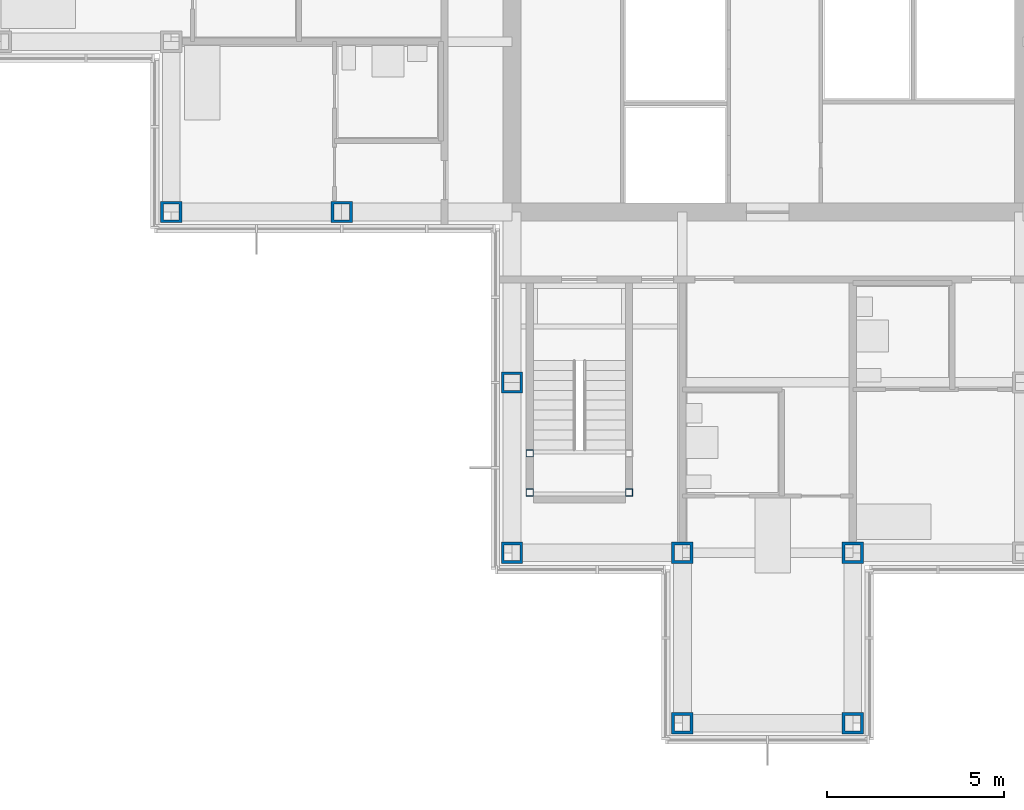
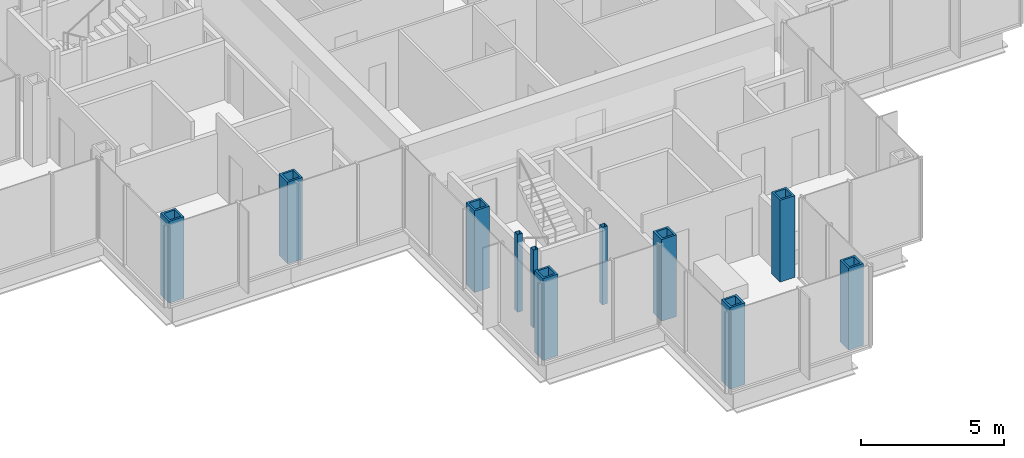
# One storey, part 1 of 17: 11 columns.
"""IFC4 building model written with IfcOpenShell, lengths in metres."""

from ifc_helpers import new_model, si_unit, direction, frame, origin, origin_2d, place, context, subcontext, project, spatial, hollow_rectangle, extrude, material, material_profile, profile_set, type_object, element, save


model = new_model("IFC4")

# Units and contexts
model_context = context("Model", 3, precision=1e-05, world=origin(), true_north=direction((0.0, 1.0)))
body_context = subcontext(model_context, "Body", "Model", "MODEL_VIEW")
ifc_project = project(units=[si_unit("LENGTHUNIT", "METRE"), si_unit("AREAUNIT", "SQUARE_METRE"), si_unit("VOLUMEUNIT", "CUBIC_METRE"), si_unit("PLANEANGLEUNIT", "RADIAN"), si_unit("MASSUNIT", "GRAM", prefix="KILO")], contexts=[model_context])

# Site, building, storey
site_placement = place(None, origin())
site = spatial("IfcSite", under=ifc_project, at=site_placement, CompositionType="ELEMENT")
building_placement = place(site_placement, origin())
building = spatial("IfcBuilding", under=site, at=building_placement, Name="Kvirike Care Tower", CompositionType="ELEMENT")
storey_placement = place(building_placement, frame((0.0, 0.0, 176.0)))
storey = spatial("IfcBuildingStorey", under=building, at=storey_placement, Name="L48", CompositionType="ELEMENT", Elevation=176.0)

# Columns
ifc_material_1 = material(Name="Steel S460", Category="steel")
ifc_material_profile_1 = material_profile(ifc_material_1, hollow_rectangle(XDim=0.60009765625, YDim=0.60009765625, WallThickness=0.080078125, at=origin_2d()), Name="BX 600x600x80")
ifc_profile_set_1 = profile_set([ifc_material_profile_1], Name="Steel S460")
column_type_1 = type_object("IfcColumnType", Name="COLUMN BX 600x600x80", PredefinedType="COLUMN", material=ifc_profile_set_1)
for number, where, z_axis, x_axis, name in (
    (1, (4.800048828125, 28.800048828125, 0.0), (0.0, 0.0, 1.0), (0.0, 1.0, 0.0), "Column G4 L48"),
    (2, (9.60009765625, 28.800048828125, 0.0), (0.0, 0.0, 1.0), (0.0, 1.0, 0.0), "Column G5 L48"),
    (3, (14.39990234375, 19.199951171875, 0.0), (0.0, 0.0, 1.0), (0.0, 1.0, 0.0), "Column E6 L48"),
    (4, (14.39990234375, 24.0, 0.0), (0.0, 0.0, 1.0), (1.0, 0.0, 0.0), "Column F6 L48"),
    (5, (19.199951171875, 14.39990234375, 0.0), (0.0, 0.0, 1.0), (0.0, 1.0, 0.0), "Column D7 L48"),
    (6, (19.199951171875, 19.199951171875, 0.0), (0.0, 0.0, 1.0), (0.0, 1.0, 0.0), "Column E7 L48"),
    (7, (24.0, 14.39990234375, 0.0), (0.0, 0.0, 1.0), (0.0, 1.0, 0.0), "Column D8 L48"),
    (8, (24.0, 19.199951171875, 0.0), (0.0, 0.0, 1.0), (0.0, 1.0, 0.0), "Column E8 L48"),
):
    element("IfcColumn", number, at=place(storey_placement, frame(where, z_axis=z_axis, x_axis=x_axis)), inside=storey, type_object=column_type_1, Name=name, PredefinedType="COLUMN", context=body_context, shape_type="SweptSolid", body=[
        extrude(hollow_rectangle(XDim=0.60009765625, YDim=0.60009765625, WallThickness=0.080078125, at=origin_2d()), origin(), (0.0, 0.0, 1.0), 3.5),
    ])
ifc_material_2 = material(Name="Steel S460", Category="steel")
ifc_material_profile_2 = material_profile(ifc_material_2, hollow_rectangle(XDim=0.199951171875, YDim=0.199951171875, WallThickness=0.008056640625, at=origin_2d()), Name="SHS 200x200x8")
ifc_profile_set_2 = profile_set([ifc_material_profile_2], Name="Steel S460")
column_type_2 = type_object("IfcColumnType", Name="STAIR POST SHS 200x200x8", PredefinedType="COLUMN", material=ifc_profile_set_2)
for number, where, z_axis, x_axis, name in (
    (9, (14.89990234375, 20.89990234375, 0.0), (0.0, 0.0, 1.0), (1.0, 0.0, 0.0), "Stair 5 post 1 L48"),
    (10, (17.699951171875, 20.89990234375, 0.0), (0.0, 0.0, 1.0), (1.0, 0.0, 0.0), "Stair 5 post 2 L48"),
    (11, (14.89990234375, 22.0, 0.0), (0.0, 0.0, 1.0), (1.0, 0.0, 0.0), "Stair 5 post 3 L48"),
):
    element("IfcColumn", number, at=place(storey_placement, frame(where, z_axis=z_axis, x_axis=x_axis)), inside=storey, type_object=column_type_2, Name=name, PredefinedType="COLUMN", context=body_context, shape_type="SweptSolid", body=[
        extrude(hollow_rectangle(XDim=0.199951171875, YDim=0.199951171875, WallThickness=0.008056640625, at=origin_2d()), origin(), (0.0, 0.0, 1.0), 3.330078125),
    ])

save(model, "model.ifc")
